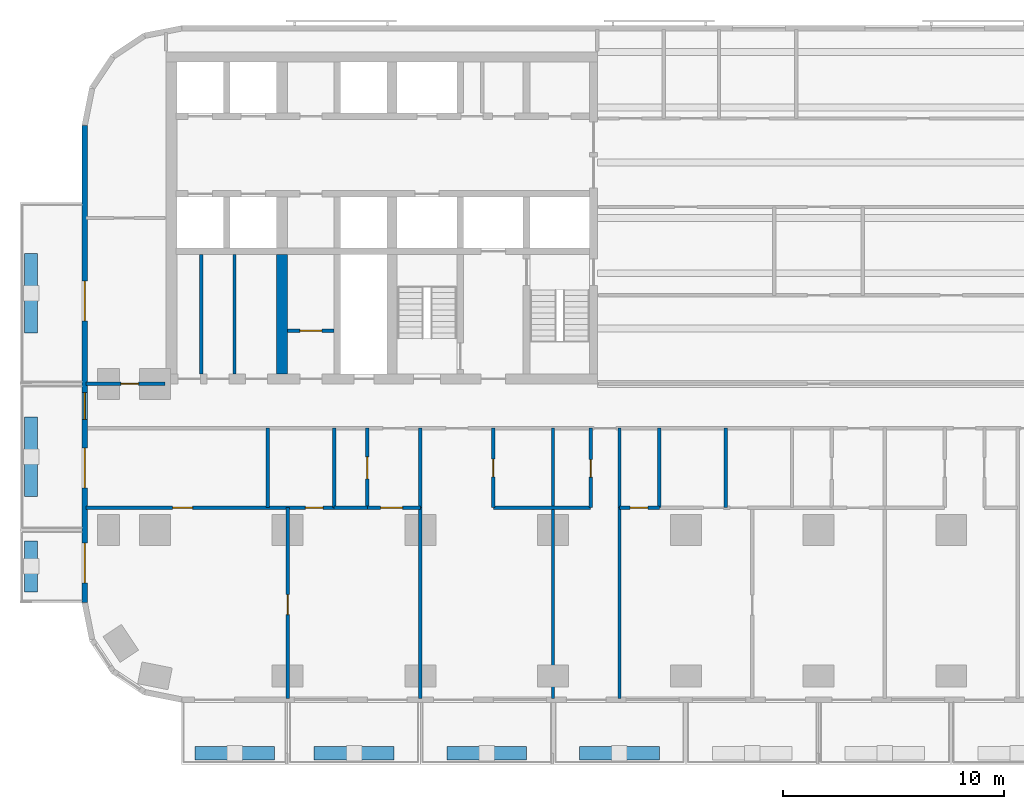
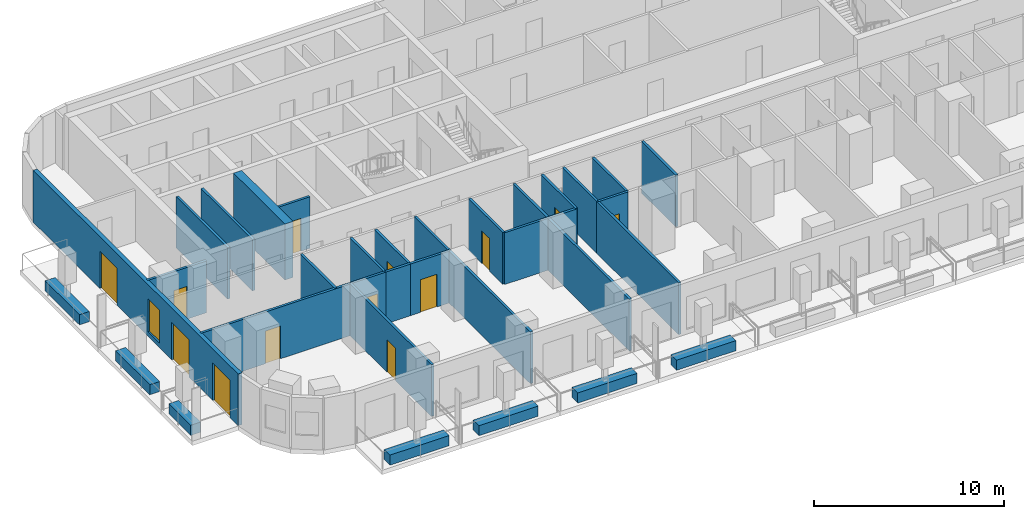
# One storey, part 2 of 15: 31 walls, 13 doors, 1 window, 14 openings.
"""IFC4 building model written with IfcOpenShell, lengths in metres."""

import ifcopenshell
import ifcopenshell.guid

model = None  # the IFC model being written
_history = None  # IfcOwnerHistory: only IFC2X3 demands one
_inside = {}  # id of a spatial element -> (the spatial element, [elements in it])
_under = {}  # id of a project, library or spatial element -> (it, [spatial elements below it])
_declared = {}  # id of a project -> (the project, [libraries it declares])
_typed = {}  # id of a type object -> (the type object, [elements of that type])
_made_of = {}  # id of a material, layer set ... -> (it, [elements and type objects made of it])


def new_model(schema):
    """Start an empty IFC model of exactly this schema.

    Asked for "IFC4X3", IfcOpenShell would pick the latest addendum, in which some entities
    have other attributes; the version numbers below select the first issue.
    IFC2X3 requires an IfcOwnerHistory on every rooted entity: one is made here for all.
    """
    global model, _history
    if schema == "IFC4X3":
        model = ifcopenshell.file(schema_version=(4, 3, 0, 0))
    else:
        model = ifcopenshell.file(schema=schema)
    _inside.clear()
    _under.clear()
    _declared.clear()
    _typed.clear()
    _made_of.clear()
    _history = None
    if model.schema == "IFC2X3":
        org = make("IfcOrganization", Name="unknown")
        user = make(
            "IfcPersonAndOrganization",
            ThePerson=make("IfcPerson", FamilyName="unknown"),
            TheOrganization=org,
        )
        app = make(
            "IfcApplication",
            ApplicationDeveloper=org,
            Version="unknown",
            ApplicationFullName="unknown",
            ApplicationIdentifier="unknown",
        )
        _history = make(
            "IfcOwnerHistory",
            OwningUser=user,
            OwningApplication=app,
            ChangeAction="ADDED",
            CreationDate=0,
        )
    return model


def make(cls, **values):
    """One entity of the class cls with the attributes given. An attribute that is None is left unset."""
    return model.create_entity(
        cls, **{name: value for name, value in values.items() if value is not None}
    )


def rooted(cls, **values):
    """An entity with a GlobalId (a new one), such as an element, a storey or a relation."""
    return make(cls, GlobalId=ifcopenshell.guid.new(), OwnerHistory=_history, **values)


def si_unit(unit_type, name, prefix=None):
    """IfcSIUnit, for example si_unit("LENGTHUNIT", "METRE", prefix="MILLI")."""
    return make("IfcSIUnit", UnitType=unit_type, Prefix=prefix, Name=name)


def assignment(units):
    """IfcUnitAssignment: the units of a project."""
    return None if units is None else make("IfcUnitAssignment", Units=units)


def point(xyz):
    """IfcCartesianPoint."""
    return None if xyz is None else make("IfcCartesianPoint", Coordinates=xyz)


def direction(xyz):
    """IfcDirection."""
    return None if xyz is None else make("IfcDirection", DirectionRatios=xyz)


def frame(location, z_axis=None, x_axis=None):
    """IfcAxis2Placement3D, a coordinate frame: its origin and axes. An axis left out is left unset."""
    return make(
        "IfcAxis2Placement3D",
        Location=point(location),
        Axis=direction(z_axis),
        RefDirection=direction(x_axis),
    )


def frame_2d(location, x_axis=None):
    """IfcAxis2Placement2D, a coordinate frame in the plane: its origin and x axis."""
    return make(
        "IfcAxis2Placement2D", Location=point(location), RefDirection=direction(x_axis)
    )


def origin():
    """The frame at (0, 0, 0) with its axes left unset."""
    return frame((0.0, 0.0, 0.0))


def place(relative_to, where):
    """IfcLocalPlacement: puts the frame where relative to a parent placement (None: the world)."""
    return make(
        "IfcLocalPlacement", PlacementRelTo=relative_to, RelativePlacement=where
    )


def context(
    kind, dimensions, precision=None, world=None, true_north=None, identifier=None
):
    """IfcGeometricRepresentationContext, for example the 3D "Model" context."""
    return make(
        "IfcGeometricRepresentationContext",
        ContextIdentifier=identifier,
        ContextType=kind,
        CoordinateSpaceDimension=dimensions,
        Precision=precision,
        WorldCoordinateSystem=world,
        TrueNorth=true_north,
    )


def subcontext(parent, identifier, kind, view, scale=None):
    """IfcGeometricRepresentationSubContext, for example "Body" below "Model"."""
    return make(
        "IfcGeometricRepresentationSubContext",
        ContextIdentifier=identifier,
        ContextType=kind,
        ParentContext=parent,
        TargetScale=scale,
        TargetView=view,
    )


def project(units=None, contexts=None):
    """IfcProject with its units and contexts."""
    return rooted(
        "IfcProject",
        Name="project",
        RepresentationContexts=contexts,
        UnitsInContext=assignment(units),
    )


def spatial(cls, under=None, at=None, **own):
    """A site, building, storey or space (cls), placed at a placement, below another one or the project."""
    s = rooted(cls, ObjectPlacement=at, **own)
    if under is not None:
        _under.setdefault(under.id(), (under, []))[1].append(s)
    return s


def profile(cls, at=None, kind="AREA", **sizes):
    """A parametric profile (cls). Its sizes go by their IFC names, for example OverallWidth=200.0."""
    return make(cls, ProfileType=kind, Position=at, **sizes)


def rectangle(**sizes):
    """IfcRectangleProfileDef."""
    return profile("IfcRectangleProfileDef", **sizes)


def extrude(swept, where, along, depth):
    """IfcExtrudedAreaSolid: the profile swept, set in the frame where, extruded along a direction by depth."""
    return make(
        "IfcExtrudedAreaSolid",
        SweptArea=swept,
        Position=where,
        ExtrudedDirection=direction(along),
        Depth=depth,
    )


def shape(context_of_items, identifier, shape_type, items):
    """IfcShapeRepresentation: the items that make up one representation, for example the "Body"."""
    return make(
        "IfcShapeRepresentation",
        ContextOfItems=context_of_items,
        RepresentationIdentifier=identifier,
        RepresentationType=shape_type,
        Items=items,
    )


def material(Name=None, Category=None):
    """IfcMaterial."""
    return make("IfcMaterial", Name=Name, Category=Category)


def layer(
    of_material, thickness, ventilated=None, Name=None, Category=None, Priority=None
):
    """IfcMaterialLayer: one layer of a wall or slab, of a material (None: an air gap)."""
    return make(
        "IfcMaterialLayer",
        Material=of_material,
        LayerThickness=thickness,
        IsVentilated=ventilated,
        Name=Name,
        Category=Category,
        Priority=Priority,
    )


def layer_set(layers, Name=None):
    """IfcMaterialLayerSet."""
    return make("IfcMaterialLayerSet", MaterialLayers=layers, LayerSetName=Name)


def made_of(thing, what):
    """Note that an element or type object is made of a material, layer set ...; save() writes the relation."""
    if what is not None:
        _made_of.setdefault(what.id(), (what, []))[1].append(thing)
    return thing


def type_object(cls, material=None, **own):
    """A type object (cls), such as IfcWallType, which elements share."""
    return made_of(rooted(cls, **own), material)


def element(
    cls,
    number,
    at=None,
    inside=None,
    cuts=None,
    type_object=None,
    material=None,
    context=None,
    identifier="Body",
    shape_type=None,
    held_by="IfcProductDefinitionShape",
    body=None,
    shapes=None,
    **own,
):
    """One element of the class cls, such as IfcWall. Its Tag is "e" and its number.

    at: its placement. inside: the storey or other place that contains it. cuts: it is an
    opening in that element (IfcRelVoidsElement). A single representation is given by context,
    identifier, shape_type and body (its items); several are given by shapes. held_by: the class
    of the entity that holds the representations. save() writes the other relations.
    """
    e = rooted(cls, Tag="e%d" % number, ObjectPlacement=at, **own)
    if body is not None:
        shapes = [shape(context, identifier, shape_type, body)]
    if shapes is not None:
        e.Representation = make(held_by, Representations=shapes)
    if inside is not None:
        _inside.setdefault(inside.id(), (inside, []))[1].append(e)
    if cuts is not None:
        rooted(
            "IfcRelVoidsElement", RelatingBuildingElement=cuts, RelatedOpeningElement=e
        )
    if type_object is not None:
        _typed.setdefault(type_object.id(), (type_object, []))[1].append(e)
    return made_of(e, material)


def fill(opening, filler):
    """IfcRelFillsElement: the door or window that sits in an opening."""
    return rooted(
        "IfcRelFillsElement",
        RelatingOpeningElement=opening,
        RelatedBuildingElement=filler,
    )


def aggregate(whole, parts):
    """IfcRelAggregates: a whole, such as a stair, and the parts it consists of."""
    return rooted("IfcRelAggregates", RelatingObject=whole, RelatedObjects=parts)


def save(model, path):
    """Write the relations noted so far, then the file.

    IfcRelAggregates (storeys below a building ...), IfcRelContainedInSpatialStructure (elements
    in a storey), IfcRelDefinesByType, IfcRelAssociatesMaterial and IfcRelDeclares: one each for
    every whole, place, type object, material and project.
    """
    for whole, parts in _under.values():
        aggregate(whole, parts)
    for where, things in _inside.values():
        rooted(
            "IfcRelContainedInSpatialStructure",
            RelatedElements=things,
            RelatingStructure=where,
        )
    for kind, things in _typed.values():
        rooted("IfcRelDefinesByType", RelatedObjects=things, RelatingType=kind)
    for what, things in _made_of.values():
        rooted("IfcRelAssociatesMaterial", RelatedObjects=things, RelatingMaterial=what)
    for by, libraries in _declared.values():
        rooted("IfcRelDeclares", RelatingContext=by, RelatedDefinitions=libraries)
    model.write(path)


model = new_model("IFC4")

# Units and contexts
model_context = context("Model", 3, precision=1e-05, world=origin(), true_north=direction((0.0, 1.0)))
body_context = subcontext(model_context, "Body", "Model", "MODEL_VIEW")
ifc_project = project(units=[si_unit("LENGTHUNIT", "METRE"), si_unit("AREAUNIT", "SQUARE_METRE"), si_unit("VOLUMEUNIT", "CUBIC_METRE"), si_unit("PLANEANGLEUNIT", "RADIAN"), si_unit("MASSUNIT", "GRAM", prefix="KILO")], contexts=[model_context])

# Site, building, storey
site_placement = place(None, origin())
site = spatial("IfcSite", under=ifc_project, at=site_placement, CompositionType="ELEMENT")
building_placement = place(site_placement, origin())
building = spatial("IfcBuilding", under=site, at=building_placement, Name="Torana Hotel and Residences", CompositionType="ELEMENT")
storey_placement = place(building_placement, frame((0.0, 0.0, 92.39990234375)))
storey = spatial("IfcBuildingStorey", under=building, at=storey_placement, Name="L23", CompositionType="ELEMENT", Elevation=92.39990234375)

# Wall
ifc_material_1 = material(Name="Concrete C80/95", Category="concrete")
ifc_layer_1 = layer(ifc_material_1, 0.5)
ifc_layer_set_1 = layer_set([ifc_layer_1], Name="CORE WALL 500 C80/95")
wall_type_1 = type_object("IfcWallType", Name="CORE WALL 500 C80/95", PredefinedType="SHEAR", material=ifc_layer_set_1)
wall_1_placement = place(storey_placement, frame((-24.25, -14.550048828125, 0.0), z_axis=(0.0, 0.0, 1.0), x_axis=(0.0, 1.0, 0.0)))
element("IfcWall", 1, at=wall_1_placement, inside=storey, type_object=wall_type_1, Name="Core wall W ml-band", PredefinedType="SHEAR", context=body_context, shape_type="SweptSolid", body=[
    extrude(rectangle(XDim=5.400146484375, YDim=0.5, at=frame_2d((2.7001953125, 0.0))), origin(), (0.0, 0.0, 1.0), 3.60009765625),
])

# Wall, openings, doors, window
ifc_material_2 = material(Name="Black aluminium composite panel", Category="aluminium")
ifc_layer_2 = layer(ifc_material_2, 0.00390625, Name="Cladding", Category="cladding")
ifc_material_3 = material(Name="Ventilated air cavity")
ifc_layer_3 = layer(ifc_material_3, 0.0400390625, Name="Ventilated cavity", Category="cavity")
ifc_material_4 = material(Name="Mineral wool insulation")
ifc_layer_4 = layer(ifc_material_4, 0.090087890625, Name="Insulation", Category="insulation")
ifc_material_5 = material(Name="Steel S280GD", Category="steel")
ifc_layer_5 = layer(ifc_material_5, 0.092041015625, Name="Steel stud frame", Category="structure")
ifc_material_6 = material(Name="Fire rated plasterboard")
ifc_layer_6 = layer(ifc_material_6, 0.011962890625, Name="Inner board", Category="finish")
ifc_layer_7 = layer(ifc_material_6, 0.011962890625, Name="Second board", Category="finish")
ifc_layer_set_2 = layer_set([ifc_layer_2, ifc_layer_3, ifc_layer_4, ifc_layer_5, ifc_layer_6, ifc_layer_7], Name="EW1 EXTERNAL WALL BLACK METAL CLAD 250")
wall_type_2 = type_object("IfcWallType", Name="EW1 EXTERNAL WALL BLACK METAL CLAD 250", PredefinedType="SOLIDWALL", material=ifc_layer_set_2)
wall_2_placement = place(storey_placement, frame((-33.175048828125, -3.32470703125, 0.0), z_axis=(0.0, 0.0, 1.0), x_axis=(0.0, -1.0, 0.0)))
wall_2 = element("IfcWall", 2, at=wall_2_placement, inside=storey, type_object=wall_type_2, Name="External wall L23 e0.9", PredefinedType="SOLIDWALL", context=body_context, shape_type="SweptSolid", body=[
    extrude(rectangle(XDim=21.55078125, YDim=0.25, at=frame_2d((10.775390625, 0.0))), origin(), (0.0, 0.0, 1.0), 3.320068359375),
])
opening_1_placement = place(wall_2_placement, frame((7.025390625, 0.0, 0.0)))
opening_1 = element("IfcOpeningElement", 3, at=opening_1_placement, cuts=wall_2, Name="Opening L23-E14", PredefinedType="OPENING", context=body_context, shape_type="SweptSolid", body=[
    extrude(rectangle(XDim=1.800048828125, YDim=2.39990234375, at=frame_2d((0.89990234375, 1.199951171875))), frame((0.0, 0.135009765625, 0.0), z_axis=(0.0, -1.0, 0.0), x_axis=(1.0, 0.0, 0.0)), (0.0, 0.0, 1.0), 0.27001953125),
])
opening_2_placement = place(wall_2_placement, frame((12.075439453125, 0.0, 0.300048828125)))
opening_2 = element("IfcOpeningElement", 4, at=opening_2_placement, cuts=wall_2, Name="Opening W7", PredefinedType="OPENING", context=body_context, shape_type="SweptSolid", body=[
    extrude(rectangle(XDim=1.199951171875, YDim=2.10009765625, at=frame_2d((0.60009765625, 1.050048828125))), frame((0.0, 0.135009765625, 0.0), z_axis=(0.0, -1.0, 0.0), x_axis=(1.0, 0.0, 0.0)), (0.0, 0.0, 1.0), 0.27001953125),
])
opening_3_placement = place(wall_2_placement, frame((14.575439453125, 0.0, 0.0)))
opening_3 = element("IfcOpeningElement", 5, at=opening_3_placement, cuts=wall_2, Name="Opening L23-E15", PredefinedType="OPENING", context=body_context, shape_type="SweptSolid", body=[
    extrude(rectangle(XDim=1.800048828125, YDim=2.39990234375, at=frame_2d((0.89990234375, 1.199951171875))), frame((0.0, 0.135009765625, 0.0), z_axis=(0.0, -1.0, 0.0), x_axis=(1.0, 0.0, 0.0)), (0.0, 0.0, 1.0), 0.27001953125),
])
opening_4_placement = place(wall_2_placement, frame((18.87548828125, 0.0, 0.0)))
opening_4 = element("IfcOpeningElement", 6, at=opening_4_placement, cuts=wall_2, Name="Opening L23-E16", PredefinedType="OPENING", context=body_context, shape_type="SweptSolid", body=[
    extrude(rectangle(XDim=1.800048828125, YDim=2.39990234375, at=frame_2d((0.89990234375, 1.199951171875))), frame((0.0, 0.135009765625, 0.0), z_axis=(0.0, -1.0, 0.0), x_axis=(1.0, 0.0, 0.0)), (0.0, 0.0, 1.0), 0.27001953125),
])
ifc_material_7 = material(Name="Dark glass in black aluminium frame", Category="aluminium")
door_type_1 = type_object("IfcDoorType", Name="DB1 BALCONY DOOR 1800x2400", OperationType="DOUBLE_DOOR_SINGLE_SWING", PredefinedType="DOOR", material=ifc_material_7)
door_1_placement = place(opening_1_placement, origin())
door_1 = element("IfcDoor", 7, at=door_1_placement, inside=storey, type_object=door_type_1, Name="Balcony door L23", OperationType="DOUBLE_DOOR_SINGLE_SWING", OverallHeight=2.39990234375, OverallWidth=1.800048828125, PredefinedType="DOOR", context=body_context, shape_type="SweptSolid", body=[
    extrude(rectangle(XDim=1.800048828125, YDim=2.39990234375, at=frame_2d((0.89990234375, 1.199951171875))), frame((0.0, 0.02490234375, 0.0), z_axis=(0.0, -1.0, 0.0), x_axis=(1.0, 0.0, 0.0)), (0.0, 0.0, 1.0), 0.050048828125),
])
fill(opening_1, door_1)
door_2_placement = place(opening_3_placement, origin())
door_2 = element("IfcDoor", 8, at=door_2_placement, inside=storey, type_object=door_type_1, Name="Balcony door L23", OperationType="DOUBLE_DOOR_SINGLE_SWING", OverallHeight=2.39990234375, OverallWidth=1.800048828125, PredefinedType="DOOR", context=body_context, shape_type="SweptSolid", body=[
    extrude(rectangle(XDim=1.800048828125, YDim=2.39990234375, at=frame_2d((0.89990234375, 1.199951171875))), frame((0.0, 0.02490234375, 0.0), z_axis=(0.0, -1.0, 0.0), x_axis=(1.0, 0.0, 0.0)), (0.0, 0.0, 1.0), 0.050048828125),
])
fill(opening_3, door_2)
door_3_placement = place(opening_4_placement, frame((0.89990234375, 0.0, 0.0), z_axis=(0.0, 0.0, 1.0), x_axis=(-1.0, 0.0, 0.0)))
door_3 = element("IfcDoor", 9, at=door_3_placement, inside=storey, type_object=door_type_1, Name="Balcony door L23", OperationType="DOUBLE_DOOR_SINGLE_SWING", OverallHeight=2.39990234375, OverallWidth=1.800048828125, PredefinedType="DOOR", context=body_context, shape_type="SweptSolid", body=[
    extrude(rectangle(XDim=1.800048828125, YDim=2.39990234375, at=frame_2d((0.0, 1.199951171875))), frame((0.0, -0.02490234375, 0.0), z_axis=(0.0, 1.0, 0.0), x_axis=(-1.0, 0.0, 0.0)), (0.0, 0.0, 1.0), 0.050048828125),
])
fill(opening_4, door_3)
ifc_material_8 = material(Name="Dark glass in black aluminium frame", Category="aluminium")
window_type = type_object("IfcWindowType", Name="W7 HOTEL CORRIDOR WINDOW 1200x2100", PartitioningType="SINGLE_PANEL", PredefinedType="WINDOW", material=ifc_material_8)
window_placement = place(opening_2_placement, origin())
window = element("IfcWindow", 10, at=window_placement, inside=storey, type_object=window_type, Name="Window L23", OverallHeight=2.10009765625, OverallWidth=1.199951171875, PartitioningType="SINGLE_PANEL", PredefinedType="WINDOW", context=body_context, shape_type="SweptSolid", body=[
    extrude(rectangle(XDim=1.199951171875, YDim=2.10009765625, at=frame_2d((0.60009765625, 1.050048828125))), frame((0.0, 0.030029296875, 0.0), z_axis=(0.0, -1.0, 0.0), x_axis=(1.0, 0.0, 0.0)), (0.0, 0.0, 1.0), 0.06005859375),
])
fill(opening_2, window)

# Wall, opening, door
ifc_material_9 = material(Name="Gypsum plaster")
ifc_layer_8 = layer(ifc_material_9, 0.014892578125, Name="Plaster", Category="finish")
ifc_material_10 = material(Name="Concrete blockwork", Category="masonry")
ifc_layer_9 = layer(ifc_material_10, 0.1201171875, Name="Blockwork", Category="structure")
ifc_layer_10 = layer(ifc_material_9, 0.014892578125, Name="Plaster", Category="finish")
ifc_layer_set_3 = layer_set([ifc_layer_8, ifc_layer_9, ifc_layer_10], Name="FIRE PARTITION 150 BLOCKWORK")
wall_type_3 = type_object("IfcWallType", Name="FIRE PARTITION 150 BLOCKWORK", PredefinedType="PARTITIONING", material=ifc_layer_set_3)
wall_3_placement = place(storey_placement, frame((-24.0, -12.60009765625, 0.0), z_axis=(0.0, 0.0, 1.0), x_axis=(1.0, 0.0, 0.0)))
wall_3 = element("IfcWall", 11, at=wall_3_placement, inside=storey, type_object=wall_type_3, Name="Core partition L23", PredefinedType="PARTITIONING", context=body_context, shape_type="SweptSolid", body=[
    extrude(rectangle(XDim=2.10009765625, YDim=0.14990234375, at=frame_2d((1.050048828125, 0.0))), origin(), (0.0, 0.0, 1.0), 3.300048828125),
])
opening_5_placement = place(wall_3_placement, frame((0.550048828125, 0.0, 0.0)))
opening_5 = element("IfcOpeningElement", 12, at=opening_5_placement, cuts=wall_3, Name="Opening L23-37", PredefinedType="OPENING", context=body_context, shape_type="SweptSolid", body=[
    extrude(rectangle(XDim=1.0, YDim=2.10009765625, at=frame_2d((0.5, 1.050048828125))), frame((0.0, 0.0849609375, 0.0), z_axis=(0.0, -1.0, 0.0), x_axis=(1.0, 0.0, 0.0)), (0.0, 0.0, 1.0), 0.169921875),
])
ifc_material_11 = material(Name="Steel S235", Category="steel")
door_type_2 = type_object("IfcDoorType", Name="CORE ROOM FIRE DOOR D14 1000x2100", OperationType="SINGLE_SWING_LEFT", PredefinedType="DOOR", material=ifc_material_11)
door_4_placement = place(opening_5_placement, origin())
door_4 = element("IfcDoor", 13, at=door_4_placement, inside=storey, type_object=door_type_2, Name="Plant room door L23", OperationType="SINGLE_SWING_RIGHT", OverallHeight=2.10009765625, OverallWidth=1.0, PredefinedType="DOOR", context=body_context, shape_type="SweptSolid", body=[
    extrude(rectangle(XDim=1.0, YDim=2.10009765625, at=frame_2d((0.5, 1.050048828125))), frame((0.0, 0.02490234375, 0.0), z_axis=(0.0, -1.0, 0.0), x_axis=(1.0, 0.0, 0.0)), (0.0, 0.0, 1.0), 0.050048828125),
])
fill(opening_5, door_4)

# Walls
for number, where, z_axis, x_axis, name in (
    (14, (-26.39990234375, -14.550048828125, 0.0), (0.0, 0.0, 1.0), (0.0, 1.0, 0.0), "Core partition L23"),
    (15, (-27.89990234375, -14.550048828125, 0.0), (0.0, 0.0, 1.0), (0.0, 1.0, 0.0), "Core partition L23"),
):
    element("IfcWall", number, at=place(storey_placement, frame(where, z_axis=z_axis, x_axis=x_axis)), inside=storey, type_object=wall_type_3, Name=name, PredefinedType="PARTITIONING", context=body_context, shape_type="SweptSolid", body=[
        extrude(rectangle(XDim=5.400146484375, YDim=0.14990234375, at=frame_2d((2.7001953125, 0.0))), origin(), (0.0, 0.0, 1.0), 3.300048828125),
    ])
wall_4_placement = place(storey_placement, frame((-18.0, -20.60009765625, 0.0), z_axis=(0.0, 0.0, 1.0), x_axis=(0.0, 1.0, 0.0)))
element("IfcWall", 16, at=wall_4_placement, inside=storey, type_object=wall_type_3, Name="Partition L23", PredefinedType="PARTITIONING", context=body_context, shape_type="SweptSolid", body=[
    extrude(rectangle(XDim=3.60009765625, YDim=0.14990234375, at=frame_2d((1.800048828125, 0.0))), origin(), (0.0, 0.0, 1.0), 3.320068359375),
])

# Wall, opening, door
wall_5_placement = place(storey_placement, frame((-20.39990234375, -20.60009765625, 0.0), z_axis=(0.0, 0.0, 1.0), x_axis=(0.0, 1.0, 0.0)))
wall_5 = element("IfcWall", 17, at=wall_5_placement, inside=storey, type_object=wall_type_3, Name="Partition L23", PredefinedType="PARTITIONING", context=body_context, shape_type="SweptSolid", body=[
    extrude(rectangle(XDim=3.60009765625, YDim=0.14990234375, at=frame_2d((1.800048828125, 0.0))), origin(), (0.0, 0.0, 1.0), 3.320068359375),
])
opening_6_placement = place(wall_5_placement, frame((1.300048828125, 0.0, 0.0)))
opening_6 = element("IfcOpeningElement", 18, at=opening_6_placement, cuts=wall_5, Name="Opening L23-74", PredefinedType="OPENING", context=body_context, shape_type="SweptSolid", body=[
    extrude(rectangle(XDim=1.0, YDim=2.10009765625, at=frame_2d((0.5, 1.050048828125))), frame((0.0, 0.0849609375, 0.0), z_axis=(0.0, -1.0, 0.0), x_axis=(1.0, 0.0, 0.0)), (0.0, 0.0, 1.0), 0.169921875),
])
ifc_material_12 = material(Name="Steel S235", Category="steel")
door_type_3 = type_object("IfcDoorType", Name="ENTRY FIRE DOOR D6 1000x2100", OperationType="SINGLE_SWING_LEFT", PredefinedType="DOOR", material=ifc_material_12)
door_5_placement = place(opening_6_placement, origin())
door_5 = element("IfcDoor", 19, at=door_5_placement, inside=storey, type_object=door_type_3, Name="Door L23", OperationType="SINGLE_SWING_RIGHT", OverallHeight=2.10009765625, OverallWidth=1.0, PredefinedType="DOOR", context=body_context, shape_type="SweptSolid", body=[
    extrude(rectangle(XDim=1.0, YDim=2.10009765625, at=frame_2d((0.5, 1.050048828125))), frame((0.0, 0.02490234375, 0.0), z_axis=(0.0, -1.0, 0.0), x_axis=(1.0, 0.0, 0.0)), (0.0, 0.0, 1.0), 0.050048828125),
])
fill(opening_6, door_5)

wall_6_placement = place(storey_placement, frame((-20.39990234375, -20.60009765625, 0.0), z_axis=(0.0, 0.0, 1.0), x_axis=(1.0, 0.0, 0.0)))
wall_6 = element("IfcWall", 20, at=wall_6_placement, inside=storey, type_object=wall_type_3, Name="Partition L23", PredefinedType="PARTITIONING", context=body_context, shape_type="SweptSolid", body=[
    extrude(rectangle(XDim=2.39990234375, YDim=0.14990234375, at=frame_2d((1.199951171875, 0.0))), origin(), (0.0, 0.0, 1.0), 3.320068359375),
])
opening_7_placement = place(wall_6_placement, frame((0.60009765625, 0.0, 0.0)))
opening_7 = element("IfcOpeningElement", 21, at=opening_7_placement, cuts=wall_6, Name="Opening L23-75", PredefinedType="OPENING", context=body_context, shape_type="SweptSolid", body=[
    extrude(rectangle(XDim=1.0, YDim=2.10009765625, at=frame_2d((0.5, 1.050048828125))), frame((0.0, 0.0849609375, 0.0), z_axis=(0.0, -1.0, 0.0), x_axis=(1.0, 0.0, 0.0)), (0.0, 0.0, 1.0), 0.169921875),
])
door_6_placement = place(opening_7_placement, frame((0.5, 0.0, 0.0), z_axis=(0.0, 0.0, 1.0), x_axis=(-1.0, 0.0, 0.0)))
door_6 = element("IfcDoor", 22, at=door_6_placement, inside=storey, type_object=door_type_3, Name="Door L23", OperationType="SINGLE_SWING_RIGHT", OverallHeight=2.10009765625, OverallWidth=1.0, PredefinedType="DOOR", context=body_context, shape_type="SweptSolid", body=[
    extrude(rectangle(XDim=1.0, YDim=2.10009765625, at=frame_2d((0.0, 1.050048828125))), frame((0.0, -0.02490234375, 0.0), z_axis=(0.0, 1.0, 0.0), x_axis=(-1.0, 0.0, 0.0)), (0.0, 0.0, 1.0), 0.050048828125),
])
fill(opening_7, door_6)

wall_7_placement = place(storey_placement, frame((-33.1201171875, -15.0, 0.0), z_axis=(0.0, 0.0, 1.0), x_axis=(1.0, 0.0, 0.0)))
wall_7 = element("IfcWall", 23, at=wall_7_placement, inside=storey, type_object=wall_type_3, Name="Partition L23", PredefinedType="PARTITIONING", context=body_context, shape_type="SweptSolid", body=[
    extrude(rectangle(XDim=3.570068359375, YDim=0.14990234375, at=frame_2d((1.78515625, 0.0))), origin(), (0.0, 0.0, 1.0), 3.320068359375),
])
opening_8_placement = place(wall_7_placement, frame((1.580078125, 0.0, 0.0)))
opening_8 = element("IfcOpeningElement", 24, at=opening_8_placement, cuts=wall_7, Name="Opening L23-48", PredefinedType="OPENING", context=body_context, shape_type="SweptSolid", body=[
    extrude(rectangle(XDim=0.800048828125, YDim=2.10009765625, at=frame_2d((0.39990234375, 1.050048828125))), frame((0.0, 0.0849609375, 0.0), z_axis=(0.0, -1.0, 0.0), x_axis=(1.0, 0.0, 0.0)), (0.0, 0.0, 1.0), 0.169921875),
])
ifc_material_13 = material(Name="Steel S235", Category="steel")
door_type_4 = type_object("IfcDoorType", Name="STORE FIRE DOOR D16 800x2100", OperationType="SINGLE_SWING_LEFT", PredefinedType="DOOR", material=ifc_material_13)
door_7_placement = place(opening_8_placement, origin())
door_7 = element("IfcDoor", 25, at=door_7_placement, inside=storey, type_object=door_type_4, Name="Door L23", OperationType="SINGLE_SWING_RIGHT", OverallHeight=2.10009765625, OverallWidth=0.800048828125, PredefinedType="DOOR", context=body_context, shape_type="SweptSolid", body=[
    extrude(rectangle(XDim=0.800048828125, YDim=2.10009765625, at=frame_2d((0.39990234375, 1.050048828125))), frame((0.0, 0.02490234375, 0.0), z_axis=(0.0, -1.0, 0.0), x_axis=(1.0, 0.0, 0.0)), (0.0, 0.0, 1.0), 0.050048828125),
])
fill(opening_8, door_7)

# Walls
ifc_material_14 = material(Name="Gypsum plasterboard")
ifc_layer_11 = layer(ifc_material_14, 0.012451171875, Name="Plasterboard", Category="finish")
ifc_layer_12 = layer(ifc_material_14, 0.012451171875, Name="Plasterboard", Category="finish")
ifc_layer_13 = layer(ifc_material_5, 0.10009765625, Name="Steel studs with mineral wool", Category="insulation")
ifc_layer_14 = layer(ifc_material_14, 0.012451171875, Name="Plasterboard", Category="finish")
ifc_layer_15 = layer(ifc_material_14, 0.012451171875, Name="Plasterboard", Category="finish")
ifc_layer_set_4 = layer_set([ifc_layer_11, ifc_layer_12, ifc_layer_13, ifc_layer_14, ifc_layer_15], Name="PARTITION 150 PLASTERBOARD")
wall_type_4 = type_object("IfcWallType", Name="PARTITION 150 PLASTERBOARD", PredefinedType="PARTITIONING", material=ifc_layer_set_4)
wall_8_placement = place(storey_placement, frame((-4.199951171875, -20.60009765625, 0.0), z_axis=(0.0, 0.0, 1.0), x_axis=(0.0, 1.0, 0.0)))
element("IfcWall", 26, at=wall_8_placement, inside=storey, type_object=wall_type_4, Name="Partition L23", PredefinedType="PARTITIONING", context=body_context, shape_type="SweptSolid", body=[
    extrude(rectangle(XDim=3.60009765625, YDim=0.14990234375, at=frame_2d((1.800048828125, 0.0))), origin(), (0.0, 0.0, 1.0), 3.320068359375),
])
wall_9_placement = place(storey_placement, frame((-9.0, -29.219970703125, 0.0), z_axis=(0.0, 0.0, 1.0), x_axis=(0.0, 1.0, 0.0)))
element("IfcWall", 27, at=wall_9_placement, inside=storey, type_object=wall_type_4, Name="Partition L23", PredefinedType="PARTITIONING", context=body_context, shape_type="SweptSolid", body=[
    extrude(rectangle(XDim=8.619873046875, YDim=0.14990234375, at=frame_2d((4.31005859375, 0.0))), origin(), (0.0, 0.0, 1.0), 3.320068359375),
])

# Wall, opening, door
wall_10_placement = place(storey_placement, frame((-10.300048828125, -20.60009765625, 0.0), z_axis=(0.0, 0.0, 1.0), x_axis=(0.0, 1.0, 0.0)))
wall_10 = element("IfcWall", 28, at=wall_10_placement, inside=storey, type_object=wall_type_4, Name="Partition L23", PredefinedType="PARTITIONING", context=body_context, shape_type="SweptSolid", body=[
    extrude(rectangle(XDim=3.60009765625, YDim=0.14990234375, at=frame_2d((1.800048828125, 0.0))), origin(), (0.0, 0.0, 1.0), 3.320068359375),
])
opening_9_placement = place(wall_10_placement, frame((1.3798828125, 0.0, 0.0)))
opening_9 = element("IfcOpeningElement", 29, at=opening_9_placement, cuts=wall_10, Name="Opening L23-59", PredefinedType="OPENING", context=body_context, shape_type="SweptSolid", body=[
    extrude(rectangle(XDim=0.800048828125, YDim=2.10009765625, at=frame_2d((0.39990234375, 1.050048828125))), frame((0.0, 0.0849609375, 0.0), z_axis=(0.0, -1.0, 0.0), x_axis=(1.0, 0.0, 0.0)), (0.0, 0.0, 1.0), 0.169921875),
])
ifc_material_15 = material(Name="Timber door, painted", Category="wood")
door_type_5 = type_object("IfcDoorType", Name="BATH DOOR D13 800x2100", OperationType="SINGLE_SWING_LEFT", PredefinedType="DOOR", material=ifc_material_15)
door_8_placement = place(opening_9_placement, origin())
door_8 = element("IfcDoor", 30, at=door_8_placement, inside=storey, type_object=door_type_5, Name="Door L23", OperationType="SINGLE_SWING_RIGHT", OverallHeight=2.10009765625, OverallWidth=0.800048828125, PredefinedType="DOOR", context=body_context, shape_type="SweptSolid", body=[
    extrude(rectangle(XDim=0.800048828125, YDim=2.10009765625, at=frame_2d((0.39990234375, 1.050048828125))), frame((0.0, 0.02490234375, 0.0), z_axis=(0.0, -1.0, 0.0), x_axis=(1.0, 0.0, 0.0)), (0.0, 0.0, 1.0), 0.050048828125),
])
fill(opening_9, door_8)

# Wall
wall_11_placement = place(storey_placement, frame((-12.0, -29.219970703125, 0.0), z_axis=(0.0, 0.0, 1.0), x_axis=(0.0, 1.0, 0.0)))
element("IfcWall", 31, at=wall_11_placement, inside=storey, type_object=wall_type_4, Name="Partition L23", PredefinedType="PARTITIONING", context=body_context, shape_type="SweptSolid", body=[
    extrude(rectangle(XDim=12.219970703125, YDim=0.14990234375, at=frame_2d((6.10986328125, 0.0))), origin(), (0.0, 0.0, 1.0), 3.320068359375),
])

# Wall, opening, door
wall_12_placement = place(storey_placement, frame((-14.699951171875, -20.60009765625, 0.0), z_axis=(0.0, 0.0, 1.0), x_axis=(0.0, 1.0, 0.0)))
wall_12 = element("IfcWall", 32, at=wall_12_placement, inside=storey, type_object=wall_type_4, Name="Partition L23", PredefinedType="PARTITIONING", context=body_context, shape_type="SweptSolid", body=[
    extrude(rectangle(XDim=3.60009765625, YDim=0.14990234375, at=frame_2d((1.800048828125, 0.0))), origin(), (0.0, 0.0, 1.0), 3.320068359375),
])
opening_10_placement = place(wall_12_placement, frame((1.39990234375, 0.0, 0.0)))
opening_10 = element("IfcOpeningElement", 33, at=opening_10_placement, cuts=wall_12, Name="Opening L23-58", PredefinedType="OPENING", context=body_context, shape_type="SweptSolid", body=[
    extrude(rectangle(XDim=0.800048828125, YDim=2.10009765625, at=frame_2d((0.39990234375, 1.050048828125))), frame((0.0, 0.0849609375, 0.0), z_axis=(0.0, -1.0, 0.0), x_axis=(1.0, 0.0, 0.0)), (0.0, 0.0, 1.0), 0.169921875),
])
door_9_placement = place(opening_10_placement, origin())
door_9 = element("IfcDoor", 34, at=door_9_placement, inside=storey, type_object=door_type_5, Name="Door L23", OperationType="SINGLE_SWING_LEFT", OverallHeight=2.10009765625, OverallWidth=0.800048828125, PredefinedType="DOOR", context=body_context, shape_type="SweptSolid", body=[
    extrude(rectangle(XDim=0.800048828125, YDim=2.10009765625, at=frame_2d((0.39990234375, 1.050048828125))), frame((0.0, 0.02490234375, 0.0), z_axis=(0.0, -1.0, 0.0), x_axis=(1.0, 0.0, 0.0)), (0.0, 0.0, 1.0), 0.050048828125),
])
fill(opening_10, door_9)

# Wall
wall_13_placement = place(storey_placement, frame((-18.0, -29.219970703125, 0.0), z_axis=(0.0, 0.0, 1.0), x_axis=(0.0, 1.0, 0.0)))
element("IfcWall", 35, at=wall_13_placement, inside=storey, type_object=wall_type_4, Name="Partition L23", PredefinedType="PARTITIONING", context=body_context, shape_type="SweptSolid", body=[
    extrude(rectangle(XDim=8.619873046875, YDim=0.14990234375, at=frame_2d((4.31005859375, 0.0))), origin(), (0.0, 0.0, 1.0), 3.320068359375),
])

# Wall, opening, door
wall_14_placement = place(storey_placement, frame((-24.0, -29.219970703125, 0.0), z_axis=(0.0, 0.0, 1.0), x_axis=(0.0, 1.0, 0.0)))
wall_14 = element("IfcWall", 36, at=wall_14_placement, inside=storey, type_object=wall_type_4, Name="Partition L23", PredefinedType="PARTITIONING", context=body_context, shape_type="SweptSolid", body=[
    extrude(rectangle(XDim=8.619873046875, YDim=0.14990234375, at=frame_2d((4.31005859375, 0.0))), origin(), (0.0, 0.0, 1.0), 3.320068359375),
])
opening_11_placement = place(wall_14_placement, frame((3.7900390625, 0.0, 0.0)))
opening_11 = element("IfcOpeningElement", 37, at=opening_11_placement, cuts=wall_14, Name="Opening L23-78", PredefinedType="OPENING", context=body_context, shape_type="SweptSolid", body=[
    extrude(rectangle(XDim=0.89990234375, YDim=2.10009765625, at=frame_2d((0.449951171875, 1.050048828125))), frame((0.0, 0.0849609375, 0.0), z_axis=(0.0, -1.0, 0.0), x_axis=(1.0, 0.0, 0.0)), (0.0, 0.0, 1.0), 0.169921875),
])
ifc_material_16 = material(Name="Timber door, oiled ash", Category="wood")
door_type_6 = type_object("IfcDoorType", Name="ROOM DOOR D7 900x2100", OperationType="SINGLE_SWING_LEFT", PredefinedType="DOOR", material=ifc_material_16)
door_10_placement = place(opening_11_placement, origin())
door_10 = element("IfcDoor", 38, at=door_10_placement, inside=storey, type_object=door_type_6, Name="Door L23", OperationType="SINGLE_SWING_RIGHT", OverallHeight=2.10009765625, OverallWidth=0.89990234375, PredefinedType="DOOR", context=body_context, shape_type="SweptSolid", body=[
    extrude(rectangle(XDim=0.89990234375, YDim=2.10009765625, at=frame_2d((0.449951171875, 1.050048828125))), frame((0.0, 0.02490234375, 0.0), z_axis=(0.0, -1.0, 0.0), x_axis=(1.0, 0.0, 0.0)), (0.0, 0.0, 1.0), 0.050048828125),
])
fill(opening_11, door_10)

# Wall
wall_15_placement = place(storey_placement, frame((-24.89990234375, -20.60009765625, 0.0), z_axis=(0.0, 0.0, 1.0), x_axis=(0.0, 1.0, 0.0)))
element("IfcWall", 39, at=wall_15_placement, inside=storey, type_object=wall_type_4, Name="Partition L23", PredefinedType="PARTITIONING", context=body_context, shape_type="SweptSolid", body=[
    extrude(rectangle(XDim=3.60009765625, YDim=0.14990234375, at=frame_2d((1.800048828125, 0.0))), origin(), (0.0, 0.0, 1.0), 3.320068359375),
])

# Wall, openings, doors
wall_16_placement = place(storey_placement, frame((-33.1201171875, -20.60009765625, 0.0), z_axis=(0.0, 0.0, 1.0), x_axis=(1.0, 0.0, 0.0)))
wall_16 = element("IfcWall", 40, at=wall_16_placement, inside=storey, type_object=wall_type_4, Name="Partition L23", PredefinedType="PARTITIONING", context=body_context, shape_type="SweptSolid", body=[
    extrude(rectangle(XDim=11.22021484375, YDim=0.14990234375, at=frame_2d((5.610107421875, 0.0))), origin(), (0.0, 0.0, 1.0), 3.320068359375),
])
opening_12_placement = place(wall_16_placement, frame((9.919921875, 0.0, 0.0)))
opening_12 = element("IfcOpeningElement", 41, at=opening_12_placement, cuts=wall_16, Name="Opening L23-76", PredefinedType="OPENING", context=body_context, shape_type="SweptSolid", body=[
    extrude(rectangle(XDim=0.800048828125, YDim=2.10009765625, at=frame_2d((0.39990234375, 1.050048828125))), frame((0.0, 0.0849609375, 0.0), z_axis=(0.0, -1.0, 0.0), x_axis=(1.0, 0.0, 0.0)), (0.0, 0.0, 1.0), 0.169921875),
])
opening_13_placement = place(wall_16_placement, frame((3.919921875, 0.0, 0.0)))
opening_13 = element("IfcOpeningElement", 42, at=opening_13_placement, cuts=wall_16, Name="Opening L23-77", PredefinedType="OPENING", context=body_context, shape_type="SweptSolid", body=[
    extrude(rectangle(XDim=0.89990234375, YDim=2.10009765625, at=frame_2d((0.449951171875, 1.050048828125))), frame((0.0, 0.0849609375, 0.0), z_axis=(0.0, -1.0, 0.0), x_axis=(1.0, 0.0, 0.0)), (0.0, 0.0, 1.0), 0.169921875),
])
door_11_placement = place(opening_12_placement, origin())
door_11 = element("IfcDoor", 43, at=door_11_placement, inside=storey, type_object=door_type_5, Name="Door L23", OperationType="SINGLE_SWING_LEFT", OverallHeight=2.10009765625, OverallWidth=0.800048828125, PredefinedType="DOOR", context=body_context, shape_type="SweptSolid", body=[
    extrude(rectangle(XDim=0.800048828125, YDim=2.10009765625, at=frame_2d((0.39990234375, 1.050048828125))), frame((0.0, 0.02490234375, 0.0), z_axis=(0.0, -1.0, 0.0), x_axis=(1.0, 0.0, 0.0)), (0.0, 0.0, 1.0), 0.050048828125),
])
fill(opening_12, door_11)
door_12_placement = place(opening_13_placement, origin())
door_12 = element("IfcDoor", 44, at=door_12_placement, inside=storey, type_object=door_type_6, Name="Door L23", OperationType="SINGLE_SWING_RIGHT", OverallHeight=2.10009765625, OverallWidth=0.89990234375, PredefinedType="DOOR", context=body_context, shape_type="SweptSolid", body=[
    extrude(rectangle(XDim=0.89990234375, YDim=2.10009765625, at=frame_2d((0.449951171875, 1.050048828125))), frame((0.0, 0.02490234375, 0.0), z_axis=(0.0, -1.0, 0.0), x_axis=(1.0, 0.0, 0.0)), (0.0, 0.0, 1.0), 0.050048828125),
])
fill(opening_13, door_12)

# Walls
wall_17_placement = place(storey_placement, frame((-14.699951171875, -20.60009765625, 0.0), z_axis=(0.0, 0.0, 1.0), x_axis=(1.0, 0.0, 0.0)))
element("IfcWall", 45, at=wall_17_placement, inside=storey, type_object=wall_type_4, Name="Partition L23", PredefinedType="PARTITIONING", context=body_context, shape_type="SweptSolid", body=[
    extrude(rectangle(XDim=4.39990234375, YDim=0.14990234375, at=frame_2d((2.199951171875, 0.0))), origin(), (0.0, 0.0, 1.0), 3.320068359375),
])
ifc_material_17 = material(Name="Concrete C40/50 precast", Category="concrete")
ifc_layer_16 = layer(ifc_material_17, 0.10009765625, Name="Planter shell", Category="structure")
ifc_material_18 = material(Name="Root resistant membrane")
ifc_layer_17 = layer(ifc_material_18, 0.00390625, Name="Waterproofing membrane", Category="membrane")
ifc_material_19 = material(Name="Drainage board with filter fleece")
ifc_layer_18 = layer(ifc_material_19, 0.02001953125, Name="Drainage board", Category="drainage")
ifc_material_20 = material(Name="Growing medium")
ifc_layer_19 = layer(ifc_material_20, 0.47607421875, Name="Planting substrate", Category="soil")
ifc_layer_set_5 = layer_set([ifc_layer_16, ifc_layer_17, ifc_layer_18, ifc_layer_19], Name="PL1 BALCONY PLANTER 600")
wall_type_5 = type_object("IfcWallType", Name="PL1 BALCONY PLANTER 600", PredefinedType="USERDEFINED", material=ifc_layer_set_5)
wall_18_placement = place(storey_placement, frame((-24.60009765625, -31.699951171875, 0.0), z_axis=(0.0, 0.0, 1.0), x_axis=(-1.0, 0.0, 0.0)))
element("IfcWall", 46, at=wall_18_placement, inside=storey, type_object=wall_type_5, Name="Planter 01", ObjectType="PLANTER", PredefinedType="USERDEFINED", context=body_context, shape_type="SweptSolid", body=[
    extrude(rectangle(XDim=3.599853515625, YDim=0.60009765625, at=frame_2d((1.7998046875, 0.0))), origin(), (0.0, 0.0, 1.0), 0.650146484375),
])
for number, where, z_axis, x_axis, name in (
    (47, (-19.199951171875, -31.699951171875, 0.0), (0.0, 0.0, 1.0), (-1.0, 0.0, 0.0), "Planter 02"),
    (48, (-13.199951171875, -31.699951171875, 0.0), (0.0, 0.0, 1.0), (-1.0, 0.0, 0.0), "Planter 03"),
    (49, (-7.199951171875, -31.699951171875, 0.0), (0.0, 0.0, 1.0), (-1.0, 0.0, 0.0), "Planter 04"),
):
    element("IfcWall", number, at=place(storey_placement, frame(where, z_axis=z_axis, x_axis=x_axis)), inside=storey, type_object=wall_type_5, Name=name, ObjectType="PLANTER", PredefinedType="USERDEFINED", context=body_context, shape_type="SweptSolid", body=[
        extrude(rectangle(XDim=3.60009765625, YDim=0.60009765625, at=frame_2d((1.800048828125, 0.0))), origin(), (0.0, 0.0, 1.0), 0.650146484375),
    ])
wall_19_placement = place(storey_placement, frame((-35.60009765625, -24.39990234375, 0.0), z_axis=(0.0, 0.0, 1.0), x_axis=(0.0, 1.0, 0.0)))
element("IfcWall", 50, at=wall_19_placement, inside=storey, type_object=wall_type_5, Name="Planter 11", ObjectType="PLANTER", PredefinedType="USERDEFINED", context=body_context, shape_type="SweptSolid", body=[
    extrude(rectangle(XDim=2.2998046875, YDim=0.60009765625, at=frame_2d((1.14990234375, 0.0))), origin(), (0.0, 0.0, 1.0), 0.650146484375),
])
wall_20_placement = place(storey_placement, frame((-35.60009765625, -20.10009765625, 0.0), z_axis=(0.0, 0.0, 1.0), x_axis=(0.0, 1.0, 0.0)))
element("IfcWall", 51, at=wall_20_placement, inside=storey, type_object=wall_type_5, Name="Planter 12", ObjectType="PLANTER", PredefinedType="USERDEFINED", context=body_context, shape_type="SweptSolid", body=[
    extrude(rectangle(XDim=3.60009765625, YDim=0.60009765625, at=frame_2d((1.800048828125, 0.0))), origin(), (0.0, 0.0, 1.0), 0.650146484375),
])
wall_21_placement = place(storey_placement, frame((-35.60009765625, -12.699951171875, 0.0), z_axis=(0.0, 0.0, 1.0), x_axis=(0.0, 1.0, 0.0)))
element("IfcWall", 52, at=wall_21_placement, inside=storey, type_object=wall_type_5, Name="Planter 13", ObjectType="PLANTER", PredefinedType="USERDEFINED", context=body_context, shape_type="SweptSolid", body=[
    extrude(rectangle(XDim=3.599853515625, YDim=0.60009765625, at=frame_2d((1.7998046875, 0.0))), origin(), (0.0, 0.0, 1.0), 0.650146484375),
])
ifc_material_21 = material(Name="Ceramic tile on adhesive")
ifc_layer_20 = layer(ifc_material_21, 0.010009765625, Name="Wall tile", Category="finish")
ifc_material_22 = material(Name="Cement render")
ifc_layer_21 = layer(ifc_material_22, 0.010009765625, Name="Render", Category="finish")
ifc_layer_22 = layer(ifc_material_10, 0.110107421875, Name="Blockwork", Category="structure")
ifc_layer_23 = layer(ifc_material_22, 0.010009765625, Name="Render", Category="finish")
ifc_layer_24 = layer(ifc_material_21, 0.010009765625, Name="Wall tile", Category="finish")
ifc_layer_set_6 = layer_set([ifc_layer_20, ifc_layer_21, ifc_layer_22, ifc_layer_23, ifc_layer_24], Name="WC PARTITION 150")
wall_type_6 = type_object("IfcWallType", Name="WC PARTITION 150", PredefinedType="PLUMBINGWALL", material=ifc_layer_set_6)
for number, where, z_axis, x_axis, name in (
    (53, (-7.199951171875, -20.60009765625, 0.0), (0.0, 0.0, 1.0), (0.0, 1.0, 0.0), "Partition L23"),
    (54, (-9.0, -20.60009765625, 0.0), (0.0, 0.0, 1.0), (0.0, 1.0, 0.0), "Partition L23"),
    (55, (-21.89990234375, -20.60009765625, 0.0), (0.0, 0.0, 1.0), (0.0, 1.0, 0.0), "Partition L23"),
):
    element("IfcWall", number, at=place(storey_placement, frame(where, z_axis=z_axis, x_axis=x_axis)), inside=storey, type_object=wall_type_6, Name=name, PredefinedType="PLUMBINGWALL", context=body_context, shape_type="SweptSolid", body=[
        extrude(rectangle(XDim=3.60009765625, YDim=0.14990234375, at=frame_2d((1.800048828125, 0.0))), origin(), (0.0, 0.0, 1.0), 3.320068359375),
    ])
wall_22_placement = place(storey_placement, frame((-21.89990234375, -20.60009765625, 0.0), z_axis=(0.0, 0.0, 1.0), x_axis=(1.0, 0.0, 0.0)))
element("IfcWall", 56, at=wall_22_placement, inside=storey, type_object=wall_type_6, Name="Partition L23", PredefinedType="PLUMBINGWALL", context=body_context, shape_type="SweptSolid", body=[
    extrude(rectangle(XDim=1.5, YDim=0.14990234375, at=frame_2d((0.75, 0.0))), origin(), (0.0, 0.0, 1.0), 3.320068359375),
])

# Wall, opening, door
wall_23_placement = place(storey_placement, frame((-9.0, -20.60009765625, 0.0), z_axis=(0.0, 0.0, 1.0), x_axis=(1.0, 0.0, 0.0)))
wall_23 = element("IfcWall", 57, at=wall_23_placement, inside=storey, type_object=wall_type_6, Name="Partition L23", PredefinedType="PLUMBINGWALL", context=body_context, shape_type="SweptSolid", body=[
    extrude(rectangle(XDim=1.800048828125, YDim=0.14990234375, at=frame_2d((0.89990234375, 0.0))), origin(), (0.0, 0.0, 1.0), 3.320068359375),
])
opening_14_placement = place(wall_23_placement, frame((0.47998046875, 0.0, 0.0)))
opening_14 = element("IfcOpeningElement", 58, at=opening_14_placement, cuts=wall_23, Name="Opening L23-60", PredefinedType="OPENING", context=body_context, shape_type="SweptSolid", body=[
    extrude(rectangle(XDim=0.800048828125, YDim=2.10009765625, at=frame_2d((0.39990234375, 1.050048828125))), frame((0.0, 0.0849609375, 0.0), z_axis=(0.0, -1.0, 0.0), x_axis=(1.0, 0.0, 0.0)), (0.0, 0.0, 1.0), 0.169921875),
])
door_13_placement = place(opening_14_placement, origin())
door_13 = element("IfcDoor", 59, at=door_13_placement, inside=storey, type_object=door_type_5, Name="Door L23", OperationType="SINGLE_SWING_RIGHT", OverallHeight=2.10009765625, OverallWidth=0.800048828125, PredefinedType="DOOR", context=body_context, shape_type="SweptSolid", body=[
    extrude(rectangle(XDim=0.800048828125, YDim=2.10009765625, at=frame_2d((0.39990234375, 1.050048828125))), frame((0.0, 0.02490234375, 0.0), z_axis=(0.0, -1.0, 0.0), x_axis=(1.0, 0.0, 0.0)), (0.0, 0.0, 1.0), 0.050048828125),
])
fill(opening_14, door_13)

save(model, "model.ifc")
